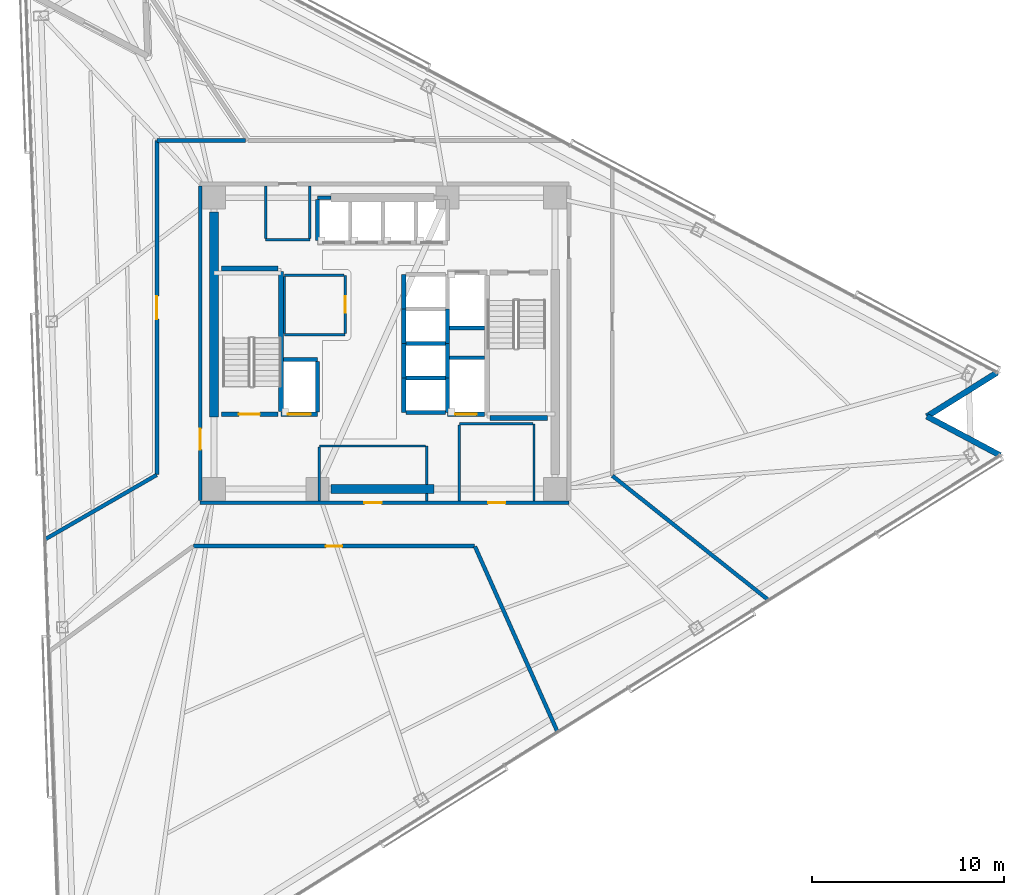
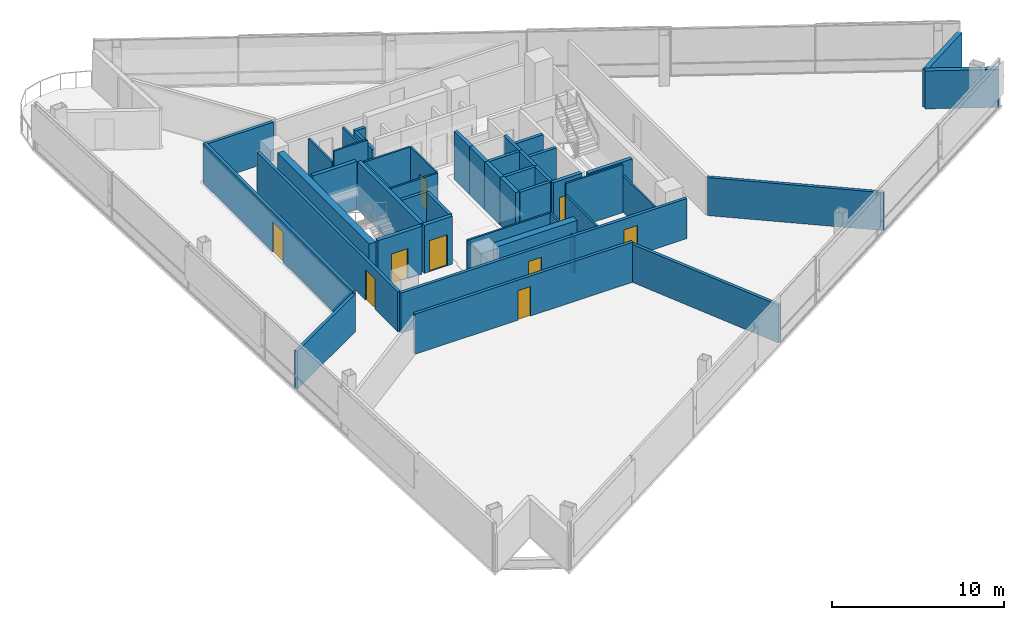
# One storey, part 12 of 18: 48 walls, 9 doors, 9 openings.
"""IFC4 building model written with IfcOpenShell, lengths in metres."""

from ifc_helpers import new_model, si_unit, direction, frame, frame_2d, origin, place, context, subcontext, project, spatial, rectangle, extrude, material, layer, layer_set, type_object, element, fill, save


model = new_model("IFC4")

# Units and contexts
model_context = context("Model", 3, precision=1e-05, world=origin(), true_north=direction((0.0, 1.0)))
body_context = subcontext(model_context, "Body", "Model", "MODEL_VIEW")
ifc_project = project(units=[si_unit("LENGTHUNIT", "METRE"), si_unit("AREAUNIT", "SQUARE_METRE"), si_unit("VOLUMEUNIT", "CUBIC_METRE"), si_unit("PLANEANGLEUNIT", "RADIAN"), si_unit("MASSUNIT", "GRAM", prefix="KILO")], contexts=[model_context])

# Site, building, storey
site_placement = place(None, origin())
site = spatial("IfcSite", under=ifc_project, at=site_placement, CompositionType="ELEMENT")
building_placement = place(site_placement, origin())
building = spatial("IfcBuilding", under=site, at=building_placement, Name="Tharavind Bronze Gate", CompositionType="ELEMENT")
storey_placement = place(building_placement, frame((0.0, 0.0, 153.199951171875)))
storey = spatial("IfcBuildingStorey", under=building, at=storey_placement, Name="L39", CompositionType="ELEMENT", Elevation=153.199951171875)

# Walls
ifc_material_1 = material(Name="Concrete C40/50", Category="concrete")
ifc_layer_1 = layer(ifc_material_1, 0.300048828125)
ifc_layer_set_1 = layer_set([ifc_layer_1], Name="Concrete C40/50")
wall_type_1 = type_object("IfcWallType", Name="EXTERIOR SPANDREL WALL 300", PredefinedType="STANDARD", material=ifc_layer_set_1)
wall_1_placement = place(storey_placement, frame((32.114501953125, -5.83984375, 0.0), z_axis=(0.0, 0.0, 1.0), x_axis=(-0.882945167019, 0.469476125099, 0.0)))
element("IfcWall", 1, at=wall_1_placement, inside=storey, type_object=wall_type_1, Name="L39 notch cheek wall 3A", PredefinedType="STANDARD", context=body_context, shape_type="SweptSolid", body=[
    extrude(rectangle(XDim=4.31982421875, YDim=0.300048828125, at=frame_2d((2.159912109375, 0.0))), origin(), (0.0, 0.0, 1.0), 2.705078125),
])
wall_2_placement = place(storey_placement, frame((28.30029296875, -3.811767578125, 0.0), z_axis=(0.0, 0.0, 1.0), x_axis=(0.848042749904, 0.529927819929, 0.0)))
element("IfcWall", 2, at=wall_2_placement, inside=storey, type_object=wall_type_1, Name="L39 notch cheek wall 3B", PredefinedType="STANDARD", context=body_context, shape_type="SweptSolid", body=[
    extrude(rectangle(XDim=4.320068359375, YDim=0.300048828125, at=frame_2d((2.16015625, 0.0))), origin(), (0.0, 0.0, 1.0), 2.705078125),
])

# Wall, openings, doors
ifc_material_2 = material(Name="Aerated Concrete Block", Category="concrete")
ifc_layer_2 = layer(ifc_material_2, 0.199951171875)
ifc_layer_set_2 = layer_set([ifc_layer_2], Name="Aerated Concrete Block")
wall_type_2 = type_object("IfcWallType", Name="FIRE RATED PARTITION 200", PredefinedType="PARTITIONING", material=ifc_layer_set_2)
wall_3_placement = place(storey_placement, frame((-9.6201171875, -8.320068359375, 0.0), z_axis=(0.0, 0.0, 1.0), x_axis=(1.0, 0.0, 0.0)))
wall_3 = element("IfcWall", 3, at=wall_3_placement, inside=storey, type_object=wall_type_2, Name="L39 south core corridor wall", PredefinedType="PARTITIONING", context=body_context, shape_type="SweptSolid", body=[
    extrude(rectangle(XDim=19.240234375, YDim=0.199951171875, at=frame_2d((9.6201171875, 0.0))), origin(), (0.0, 0.0, 1.0), 2.85498046875),
])
opening_1_placement = place(wall_3_placement, frame((8.570068359375, 0.0, 0.0)))
opening_1 = element("IfcOpeningElement", 4, at=opening_1_placement, cuts=wall_3, Name="Opening ID07", PredefinedType="OPENING", context=body_context, shape_type="SweptSolid", body=[
    extrude(rectangle(XDim=0.89990234375, YDim=2.10009765625, at=frame_2d((0.449951171875, 1.050048828125))), frame((0.0, 0.11009765625, 0.0), z_axis=(0.0, -1.0, 0.0), x_axis=(1.0, 0.0, 0.0)), (0.0, 0.0, 1.0), 0.219951171875),
])
opening_2_placement = place(wall_3_placement, frame((15.02001953125, 0.0, 0.0)))
opening_2 = element("IfcOpeningElement", 5, at=opening_2_placement, cuts=wall_3, Name="Opening ID07", PredefinedType="OPENING", context=body_context, shape_type="SweptSolid", body=[
    extrude(rectangle(XDim=0.89990234375, YDim=2.10009765625, at=frame_2d((0.449951171875, 1.050048828125))), frame((0.0, 0.11009765625, 0.0), z_axis=(0.0, -1.0, 0.0), x_axis=(1.0, 0.0, 0.0)), (0.0, 0.0, 1.0), 0.219951171875),
])
ifc_material_3 = material(Name="Galvanised Fire Steel", Category="steel")
door_type_1 = type_object("IfcDoorType", Name="PLANT AND RISER FIRE DOOR 900X2100", OperationType="SINGLE_SWING_LEFT", PredefinedType="DOOR", material=ifc_material_3)
door_1_placement = place(opening_1_placement, origin())
door_1 = element("IfcDoor", 6, at=door_1_placement, inside=storey, type_object=door_type_1, Name="L39 Core BMS Control Room fire door", OperationType="SINGLE_SWING_LEFT", OverallHeight=2.10009765625, OverallWidth=0.89990234375, PredefinedType="DOOR", context=body_context, shape_type="SweptSolid", body=[
    extrude(rectangle(XDim=0.89990234375, YDim=2.10009765625, at=frame_2d((0.449951171875, 1.050048828125))), frame((0.0, 0.02490234375, 0.0), z_axis=(0.0, -1.0, 0.0), x_axis=(1.0, 0.0, 0.0)), (0.0, 0.0, 1.0), 0.050048828125),
])
fill(opening_1, door_1)
door_2_placement = place(opening_2_placement, origin())
door_2 = element("IfcDoor", 7, at=door_2_placement, inside=storey, type_object=door_type_1, Name="L39 Telecom Metering Room fire door", OperationType="SINGLE_SWING_LEFT", OverallHeight=2.10009765625, OverallWidth=0.89990234375, PredefinedType="DOOR", context=body_context, shape_type="SweptSolid", body=[
    extrude(rectangle(XDim=0.89990234375, YDim=2.10009765625, at=frame_2d((0.449951171875, 1.050048828125))), frame((0.0, 0.02490234375, 0.0), z_axis=(0.0, -1.0, 0.0), x_axis=(1.0, 0.0, 0.0)), (0.0, 0.0, 1.0), 0.050048828125),
])
fill(opening_2, door_2)

# Wall, opening, door
wall_4_placement = place(storey_placement, frame((-9.6201171875, 8.199951171875, 0.0), z_axis=(0.0, 0.0, 1.0), x_axis=(0.0, -1.0, 0.0)))
wall_4 = element("IfcWall", 8, at=wall_4_placement, inside=storey, type_object=wall_type_2, Name="L39 west core corridor wall", PredefinedType="PARTITIONING", context=body_context, shape_type="SweptSolid", body=[
    extrude(rectangle(XDim=16.39990234375, YDim=0.199951171875, at=frame_2d((8.199951171875, 0.0))), origin(), (0.0, 0.0, 1.0), 2.85498046875),
])
opening_3_placement = place(wall_4_placement, frame((12.64990234375, 0.0, 0.0)))
opening_3 = element("IfcOpeningElement", 9, at=opening_3_placement, cuts=wall_4, Name="Opening ID01", PredefinedType="OPENING", context=body_context, shape_type="SweptSolid", body=[
    extrude(rectangle(XDim=1.10009765625, YDim=2.14990234375, at=frame_2d((0.550048828125, 1.074951171875))), frame((0.0, 0.11009765625, 0.0), z_axis=(0.0, -1.0, 0.0), x_axis=(1.0, 0.0, 0.0)), (0.0, 0.0, 1.0), 0.219951171875),
])
ifc_material_4 = material(Name="Fire-Rated Steel", Category="steel")
door_type_2 = type_object("IfcDoorType", Name="STAIR CORE FIRE DOOR 1100X2150", OperationType="SINGLE_SWING_LEFT", PredefinedType="DOOR", material=ifc_material_4)
door_3_placement = place(opening_3_placement, frame((1.10009765625, 0.0, 0.0), z_axis=(0.0, 0.0, 1.0), x_axis=(-1.0, 0.0, 0.0)))
door_3 = element("IfcDoor", 10, at=door_3_placement, inside=storey, type_object=door_type_2, Name="L39 south west stair lobby fire door", OperationType="SINGLE_SWING_LEFT", OverallHeight=2.14990234375, OverallWidth=1.10009765625, PredefinedType="DOOR", context=body_context, shape_type="SweptSolid", body=[
    extrude(rectangle(XDim=1.10009765625, YDim=2.14990234375, at=frame_2d((0.550048828125, 1.074951171875))), frame((0.0, 0.02490234375, 0.0), z_axis=(0.0, -1.0, 0.0), x_axis=(1.0, 0.0, 0.0)), (0.0, 0.0, 1.0), 0.050048828125),
])
fill(opening_3, door_3)

wall_5_placement = place(storey_placement, frame((-9.969970703125, -10.580078125, 0.0), z_axis=(0.0, 0.0, 1.0), x_axis=(1.0, 0.0, 0.0)))
wall_5 = element("IfcWall", 11, at=wall_5_placement, inside=storey, type_object=wall_type_2, Name="L39 Public Restrooms Block partition", PredefinedType="PARTITIONING", context=body_context, shape_type="SweptSolid", body=[
    extrude(rectangle(XDim=14.664306640625, YDim=0.199951171875, at=frame_2d((7.33203125, 0.0))), origin(), (0.0, 0.0, 1.0), 2.85498046875),
])
opening_4_placement = place(wall_5_placement, frame((6.906982421875, 0.0, 0.0)))
opening_4 = element("IfcOpeningElement", 12, at=opening_4_placement, cuts=wall_5, Name="Opening ID06", PredefinedType="OPENING", context=body_context, shape_type="SweptSolid", body=[
    extrude(rectangle(XDim=0.85009765625, YDim=2.10009765625, at=frame_2d((0.425048828125, 1.050048828125))), frame((0.0, 0.11009765625, 0.0), z_axis=(0.0, -1.0, 0.0), x_axis=(1.0, 0.0, 0.0)), (0.0, 0.0, 1.0), 0.219951171875),
])
ifc_material_5 = material(Name="Moisture-Resistant Timber", Category="wood")
door_type_3 = type_object("IfcDoorType", Name="BATHROOM PRIVACY DOOR 850X2100", OperationType="SINGLE_SWING_RIGHT", PredefinedType="DOOR", material=ifc_material_5)
door_4_placement = place(opening_4_placement, origin())
door_4 = element("IfcDoor", 13, at=door_4_placement, inside=storey, type_object=door_type_3, Name="L39 Public Restrooms Block door", OperationType="SINGLE_SWING_RIGHT", OverallHeight=2.10009765625, OverallWidth=0.85009765625, PredefinedType="DOOR", context=body_context, shape_type="SweptSolid", body=[
    extrude(rectangle(XDim=0.85009765625, YDim=2.10009765625, at=frame_2d((0.425048828125, 1.050048828125))), frame((0.0, 0.02490234375, 0.0), z_axis=(0.0, -1.0, 0.0), x_axis=(1.0, 0.0, 0.0)), (0.0, 0.0, 1.0), 0.050048828125),
])
fill(opening_4, door_4)

# Walls
wall_6_placement = place(storey_placement, frame((4.717041015625, -10.5947265625, 0.0), z_axis=(0.0, 0.0, 1.0), x_axis=(0.406751437798, -0.913538870464, 0.0)))
element("IfcWall", 14, at=wall_6_placement, inside=storey, type_object=wall_type_2, Name="L39 Public Restrooms Block partition", PredefinedType="PARTITIONING", context=body_context, shape_type="SweptSolid", body=[
    extrude(rectangle(XDim=10.5673828125, YDim=0.199951171875, at=frame_2d((5.28369140625, 0.0))), origin(), (0.0, 0.0, 1.0), 2.705078125),
])
wall_7_placement = place(storey_placement, frame((-7.262939453125, 10.580078125, 0.0), z_axis=(0.0, 0.0, 1.0), x_axis=(-1.0, 0.0, 0.0)))
element("IfcWall", 15, at=wall_7_placement, inside=storey, type_object=wall_type_2, Name="L39 Design Review Room partition", PredefinedType="PARTITIONING", context=body_context, shape_type="SweptSolid", body=[
    extrude(rectangle(XDim=4.616455078125, YDim=0.199951171875, at=frame_2d((2.30810546875, 0.0))), origin(), (0.0, 0.0, 1.0), 2.755126953125),
])

# Wall, opening, door
wall_8_placement = place(storey_placement, frame((-11.8798828125, 10.579345703125, 0.0), z_axis=(0.0, 0.0, 1.0), x_axis=(0.0, -1.0, 0.0)))
wall_8 = element("IfcWall", 16, at=wall_8_placement, inside=storey, type_object=wall_type_2, Name="L39 Design Review Room partition", PredefinedType="PARTITIONING", context=body_context, shape_type="SweptSolid", body=[
    extrude(rectangle(XDim=17.423828125, YDim=0.199951171875, at=frame_2d((8.7119140625, 0.0))), origin(), (0.0, 0.0, 1.0), 2.85498046875),
])
opening_5_placement = place(wall_8_placement, frame((8.112060546875, 0.0, 0.0)))
opening_5 = element("IfcOpeningElement", 17, at=opening_5_placement, cuts=wall_8, Name="Opening ID05", PredefinedType="OPENING", context=body_context, shape_type="SweptSolid", body=[
    extrude(rectangle(XDim=1.199951171875, YDim=2.14990234375, at=frame_2d((0.60009765625, 1.074951171875))), frame((0.0, 0.11009765625, 0.0), z_axis=(0.0, -1.0, 0.0), x_axis=(1.0, 0.0, 0.0)), (0.0, 0.0, 1.0), 0.219951171875),
])
ifc_material_6 = material(Name="Acoustic Laminated Glass", Category="glass")
door_type_4 = type_object("IfcDoorType", Name="MEETING ROOM GLAZED DOOR 1200X2150", OperationType="SINGLE_SWING_LEFT", PredefinedType="DOOR", material=ifc_material_6)
door_5_placement = place(opening_5_placement, origin())
door_5 = element("IfcDoor", 18, at=door_5_placement, inside=storey, type_object=door_type_4, Name="L39 Design Review Room door", OperationType="SINGLE_SWING_LEFT", OverallHeight=2.14990234375, OverallWidth=1.199951171875, PredefinedType="DOOR", context=body_context, shape_type="SweptSolid", body=[
    extrude(rectangle(XDim=1.199951171875, YDim=2.14990234375, at=frame_2d((0.60009765625, 1.074951171875))), frame((0.0, 0.02490234375, 0.0), z_axis=(0.0, -1.0, 0.0), x_axis=(1.0, 0.0, 0.0)), (0.0, 0.0, 1.0), 0.050048828125),
])
fill(opening_5, door_5)

# Walls
wall_9_placement = place(storey_placement, frame((-11.892578125, -6.8662109375, 0.0), z_axis=(0.0, 0.0, 1.0), x_axis=(-0.866035775779, -0.499982034748, 0.0)))
element("IfcWall", 19, at=wall_9_placement, inside=storey, type_object=wall_type_2, Name="L39 Design Review Room partition", PredefinedType="PARTITIONING", context=body_context, shape_type="SweptSolid", body=[
    extrude(rectangle(XDim=6.730224609375, YDim=0.199951171875, at=frame_2d((3.365234375, 0.0))), origin(), (0.0, 0.0, 1.0), 2.705078125),
])
wall_10_placement = place(storey_placement, frame((20.030029296875, -13.39111328125, 0.0), z_axis=(0.0, 0.0, 1.0), x_axis=(-0.782379652936, 0.622801797261, 0.0)))
element("IfcWall", 20, at=wall_10_placement, inside=storey, type_object=wall_type_2, Name="L39 Design Tea Pantry partition", PredefinedType="PARTITIONING", context=body_context, shape_type="SweptSolid", body=[
    extrude(rectangle(XDim=10.405029296875, YDim=0.199951171875, at=frame_2d((5.20263671875, 0.0))), origin(), (0.0, 0.0, 1.0), 2.705078125),
])
ifc_material_7 = material(Name="Metal Stud Gypsum Partition", Category="gypsum")
ifc_layer_3 = layer(ifc_material_7, 0.1201171875)
ifc_layer_set_3 = layer_set([ifc_layer_3], Name="Metal Stud Gypsum Partition")
wall_type_3 = type_object("IfcWallType", Name="INTERIOR PARTITION WALL 120", PredefinedType="PARTITIONING", material=ifc_layer_set_3)
wall_11_placement = place(storey_placement, frame((-5.219970703125, 0.449951171875, 0.0), z_axis=(0.0, 0.0, 1.0), x_axis=(1.0, 0.0, 0.0)))
element("IfcWall", 21, at=wall_11_placement, inside=storey, type_object=wall_type_3, Name="L39 Electrical & Telecom Store partition 1", PredefinedType="PARTITIONING", context=body_context, shape_type="SweptSolid", body=[
    extrude(rectangle(XDim=3.169921875, YDim=0.1201171875, at=frame_2d((1.5849609375, 0.0))), origin(), (0.0, 0.0, 1.0), 3.41015625),
])

# Wall, opening, door
wall_12_placement = place(storey_placement, frame((-2.050048828125, 0.514892578125, 0.0), z_axis=(0.0, 0.0, 1.0), x_axis=(0.0, 1.0, 0.0)))
wall_12 = element("IfcWall", 22, at=wall_12_placement, inside=storey, type_object=wall_type_3, Name="L39 Electrical & Telecom Store partition 2", PredefinedType="PARTITIONING", context=body_context, shape_type="SweptSolid", body=[
    extrude(rectangle(XDim=3.03515625, YDim=0.1201171875, at=frame_2d((1.517578125, 0.0))), origin(), (0.0, 0.0, 1.0), 3.41015625),
])
opening_6_placement = place(wall_12_placement, frame((1.092041015625, 0.0, 0.0)))
opening_6 = element("IfcOpeningElement", 23, at=opening_6_placement, cuts=wall_12, Name="Opening ID06", PredefinedType="OPENING", context=body_context, shape_type="SweptSolid", body=[
    extrude(rectangle(XDim=0.85009765625, YDim=2.10009765625, at=frame_2d((0.425048828125, 1.050048828125))), frame((0.0, 0.07005859375, 0.0), z_axis=(0.0, -1.0, 0.0), x_axis=(1.0, 0.0, 0.0)), (0.0, 0.0, 1.0), 0.1401171875),
])
door_6_placement = place(opening_6_placement, frame((0.85009765625, 0.0, 0.0), z_axis=(0.0, 0.0, 1.0), x_axis=(-1.0, 0.0, 0.0)))
door_6 = element("IfcDoor", 24, at=door_6_placement, inside=storey, type_object=door_type_3, Name="L39 Electrical & Telecom Store door", OperationType="SINGLE_SWING_RIGHT", OverallHeight=2.10009765625, OverallWidth=0.85009765625, PredefinedType="DOOR", context=body_context, shape_type="SweptSolid", body=[
    extrude(rectangle(XDim=0.85009765625, YDim=2.10009765625, at=frame_2d((0.425048828125, 1.050048828125))), frame((0.0, 0.02490234375, 0.0), z_axis=(0.0, -1.0, 0.0), x_axis=(1.0, 0.0, 0.0)), (0.0, 0.0, 1.0), 0.050048828125),
])
fill(opening_6, door_6)

# Walls
wall_13_placement = place(storey_placement, frame((-2.114990234375, 3.550048828125, 0.0), z_axis=(0.0, 0.0, 1.0), x_axis=(-1.0, 0.0, 0.0)))
element("IfcWall", 25, at=wall_13_placement, inside=storey, type_object=wall_type_3, Name="L39 Electrical & Telecom Store partition 3", PredefinedType="PARTITIONING", context=body_context, shape_type="SweptSolid", body=[
    extrude(rectangle(XDim=3.10498046875, YDim=0.1201171875, at=frame_2d((1.552490234375, 0.0))), origin(), (0.0, 0.0, 1.0), 3.41015625),
])
wall_14_placement = place(storey_placement, frame((-5.219970703125, 3.485107421875, 0.0), z_axis=(0.0, 0.0, 1.0), x_axis=(0.0, -1.0, 0.0)))
element("IfcWall", 26, at=wall_14_placement, inside=storey, type_object=wall_type_3, Name="L39 Electrical & Telecom Store partition 4", PredefinedType="PARTITIONING", context=body_context, shape_type="SweptSolid", body=[
    extrude(rectangle(XDim=2.97021484375, YDim=0.1201171875, at=frame_2d((1.485107421875, 0.0))), origin(), (0.0, 0.0, 1.0), 3.41015625),
])
wall_15_placement = place(storey_placement, frame((2.199951171875, -8.215087890625, 0.0), z_axis=(0.0, 0.0, 1.0), x_axis=(0.0, 1.0, 0.0)))
element("IfcWall", 27, at=wall_15_placement, inside=storey, type_object=wall_type_3, Name="L39 Core BMS Control Room partition 2", PredefinedType="PARTITIONING", context=body_context, shape_type="SweptSolid", body=[
    extrude(rectangle(XDim=0.385009765625, YDim=0.1201171875, at=frame_2d((0.1923828125, 0.0))), origin(), (0.0, 0.0, 1.0), 2.60498046875),
])
wall_16_placement = place(storey_placement, frame((2.199951171875, -7.3701171875, 0.0), z_axis=(0.0, 0.0, 1.0), x_axis=(0.0, 1.0, 0.0)))
element("IfcWall", 28, at=wall_16_placement, inside=storey, type_object=wall_type_3, Name="L39 Core BMS Control Room partition 2", PredefinedType="PARTITIONING", context=body_context, shape_type="SweptSolid", body=[
    extrude(rectangle(XDim=2.02001953125, YDim=0.1201171875, at=frame_2d((1.010009765625, 0.0))), origin(), (0.0, 0.0, 1.0), 2.60498046875),
])
wall_17_placement = place(storey_placement, frame((2.135009765625, -5.35009765625, 0.0), z_axis=(0.0, 0.0, 1.0), x_axis=(-1.0, 0.0, 0.0)))
element("IfcWall", 29, at=wall_17_placement, inside=storey, type_object=wall_type_3, Name="L39 Core BMS Control Room partition 3", PredefinedType="PARTITIONING", context=body_context, shape_type="SweptSolid", body=[
    extrude(rectangle(XDim=5.534912109375, YDim=0.1201171875, at=frame_2d((2.767578125, 0.0))), origin(), (0.0, 0.0, 1.0), 2.60498046875),
])
wall_18_placement = place(storey_placement, frame((-3.39990234375, -5.4150390625, 0.0), z_axis=(0.0, 0.0, 1.0), x_axis=(0.0, -1.0, 0.0)))
element("IfcWall", 30, at=wall_18_placement, inside=storey, type_object=wall_type_3, Name="L39 Core BMS Control Room partition 4", PredefinedType="PARTITIONING", context=body_context, shape_type="SweptSolid", body=[
    extrude(rectangle(XDim=2.800048828125, YDim=0.1201171875, at=frame_2d((1.39990234375, 0.0))), origin(), (0.0, 0.0, 1.0), 2.60498046875),
])
wall_19_placement = place(storey_placement, frame((-6.199951171875, 5.39990234375, 0.0), z_axis=(0.0, 0.0, 1.0), x_axis=(1.0, 0.0, 0.0)))
element("IfcWall", 31, at=wall_19_placement, inside=storey, type_object=wall_type_3, Name="L39 Electrical Switch Cupboard partition 1", PredefinedType="PARTITIONING", context=body_context, shape_type="SweptSolid", body=[
    extrude(rectangle(XDim=2.300048828125, YDim=0.1201171875, at=frame_2d((1.14990234375, 0.0))), origin(), (0.0, 0.0, 1.0), 3.41015625),
])
for number, where, z_axis, x_axis, name in (
    (32, (-3.89990234375, 5.465087890625, 0.0), (0.0, 0.0, 1.0), (0.0, 1.0, 0.0), "L39 Electrical Switch Cupboard partition 2"),
    (33, (-6.199951171875, 8.215087890625, 0.0), (0.0, 0.0, 1.0), (0.0, -1.0, 0.0), "L39 Electrical Switch Cupboard partition 4"),
):
    element("IfcWall", number, at=place(storey_placement, frame(where, z_axis=z_axis, x_axis=x_axis)), inside=storey, type_object=wall_type_3, Name=name, PredefinedType="PARTITIONING", context=body_context, shape_type="SweptSolid", body=[
        extrude(rectangle(XDim=2.75, YDim=0.1201171875, at=frame_2d((1.375, 0.0))), origin(), (0.0, 0.0, 1.0), 2.60498046875),
    ])
wall_20_placement = place(storey_placement, frame((7.800048828125, -8.215087890625, 0.0), z_axis=(0.0, 0.0, 1.0), x_axis=(0.0, 1.0, 0.0)))
element("IfcWall", 34, at=wall_20_placement, inside=storey, type_object=wall_type_3, Name="L39 Telecom Metering Room partition 2", PredefinedType="PARTITIONING", context=body_context, shape_type="SweptSolid", body=[
    extrude(rectangle(XDim=4.01513671875, YDim=0.1201171875, at=frame_2d((2.007568359375, 0.0))), origin(), (0.0, 0.0, 1.0), 2.60498046875),
])
wall_21_placement = place(storey_placement, frame((7.735107421875, -4.199951171875, 0.0), z_axis=(0.0, 0.0, 1.0), x_axis=(-1.0, 0.0, 0.0)))
element("IfcWall", 35, at=wall_21_placement, inside=storey, type_object=wall_type_3, Name="L39 Telecom Metering Room partition 3", PredefinedType="PARTITIONING", context=body_context, shape_type="SweptSolid", body=[
    extrude(rectangle(XDim=3.835205078125, YDim=0.1201171875, at=frame_2d((1.91748046875, 0.0))), origin(), (0.0, 0.0, 1.0), 3.41015625),
])
wall_22_placement = place(storey_placement, frame((3.89990234375, -4.264892578125, 0.0), z_axis=(0.0, 0.0, 1.0), x_axis=(0.0, -1.0, 0.0)))
element("IfcWall", 36, at=wall_22_placement, inside=storey, type_object=wall_type_3, Name="L39 Telecom Metering Room partition 4", PredefinedType="PARTITIONING", context=body_context, shape_type="SweptSolid", body=[
    extrude(rectangle(XDim=3.9501953125, YDim=0.1201171875, at=frame_2d((1.97509765625, 0.0))), origin(), (0.0, 0.0, 1.0), 2.60498046875),
])
ifc_material_8 = material(Name="Concrete C50/60", Category="concrete")
ifc_layer_4 = layer(ifc_material_8, 0.25)
ifc_layer_set_4 = layer_set([ifc_layer_4], Name="Concrete C50/60")
wall_type_4 = type_object("IfcWallType", Name="RC CORE SHEAR WALL 250", PredefinedType="SHEAR", material=ifc_layer_set_4)
wall_23_placement = place(storey_placement, frame((-5.39990234375, -3.550048828125, 0.0), z_axis=(0.0, 0.0, 1.0), x_axis=(0.0, 1.0, 0.0)))
element("IfcWall", 37, at=wall_23_placement, inside=storey, type_object=wall_type_4, Name="L39 ST1 shaft east wall", PredefinedType="SHEAR", context=body_context, shape_type="SweptSolid", body=[
    extrude(rectangle(XDim=7.300048828125, YDim=0.25, at=frame_2d((3.64990234375, 0.0))), origin(), (0.0, 0.0, 1.0), 3.41015625),
])

# Wall, opening, door
wall_24_placement = place(storey_placement, frame((-8.5, -3.699951171875, 0.0), z_axis=(0.0, 0.0, 1.0), x_axis=(1.0, 0.0, 0.0)))
wall_24 = element("IfcWall", 38, at=wall_24_placement, inside=storey, type_object=wall_type_4, Name="L39 ST1 shaft south wall", PredefinedType="SHEAR", context=body_context, shape_type="SweptSolid", body=[
    extrude(rectangle(XDim=2.949951171875, YDim=0.25, at=frame_2d((1.47509765625, 0.0))), origin(), (0.0, 0.0, 1.0), 3.41015625),
])
opening_7_placement = place(wall_24_placement, frame((0.89990234375, 0.0, 0.0)))
opening_7 = element("IfcOpeningElement", 39, at=opening_7_placement, cuts=wall_24, Name="Opening ID01", PredefinedType="OPENING", context=body_context, shape_type="SweptSolid", body=[
    extrude(rectangle(XDim=1.10009765625, YDim=2.14990234375, at=frame_2d((0.550048828125, 1.074951171875))), frame((0.0, 0.135, 0.0), z_axis=(0.0, -1.0, 0.0), x_axis=(1.0, 0.0, 0.0)), (0.0, 0.0, 1.0), 0.27),
])
door_7_placement = place(opening_7_placement, origin())
door_7 = element("IfcDoor", 40, at=door_7_placement, inside=storey, type_object=door_type_2, Name="L39 exit stair ST1 fire door", OperationType="SINGLE_SWING_LEFT", OverallHeight=2.14990234375, OverallWidth=1.10009765625, PredefinedType="DOOR", context=body_context, shape_type="SweptSolid", body=[
    extrude(rectangle(XDim=1.10009765625, YDim=2.14990234375, at=frame_2d((0.550048828125, 1.074951171875))), frame((0.0, 0.02490234375, 0.0), z_axis=(0.0, -1.0, 0.0), x_axis=(1.0, 0.0, 0.0)), (0.0, 0.0, 1.0), 0.050048828125),
])
fill(opening_7, door_7)

# Walls
wall_25_placement = place(storey_placement, frame((-8.5, 3.89990234375, 0.0), z_axis=(0.0, 0.0, 1.0), x_axis=(1.0, 0.0, 0.0)))
element("IfcWall", 41, at=wall_25_placement, inside=storey, type_object=wall_type_4, Name="L39 ST1 shaft north wall", PredefinedType="SHEAR", context=body_context, shape_type="SweptSolid", body=[
    extrude(rectangle(XDim=2.949951171875, YDim=0.25, at=frame_2d((1.47509765625, 0.0))), origin(), (0.0, 0.0, 1.0), 3.41015625),
])
wall_26_placement = place(storey_placement, frame((5.5, -3.89990234375, 0.0), z_axis=(0.0, 0.0, 1.0), x_axis=(1.0, 0.0, 0.0)))
element("IfcWall", 42, at=wall_26_placement, inside=storey, type_object=wall_type_4, Name="L39 ST2 shaft south wall", PredefinedType="SHEAR", context=body_context, shape_type="SweptSolid", body=[
    extrude(rectangle(XDim=3.0, YDim=0.25, at=frame_2d((1.5, 0.0))), origin(), (0.0, 0.0, 1.0), 3.41015625),
])
for number, where, z_axis, x_axis, name in (
    (43, (1.0, -3.60009765625, 0.0), (0.0, 0.0, 1.0), (0.0, 1.0, 0.0), "L39 lift PL9 shaft front wall"),
    (44, (1.0, -1.800048828125, 0.0), (0.0, 0.0, 1.0), (0.0, 1.0, 0.0), "L39 lift PL10 shaft front wall"),
    (45, (1.0, 0.0, 0.0), (0.0, 0.0, 1.0), (0.0, 1.0, 0.0), "L39 lift PL11 shaft front wall"),
    (46, (1.0, 1.800048828125, 0.0), (0.0, 0.0, 1.0), (0.0, 1.0, 0.0), "L39 lift PL12 shaft front wall"),
):
    element("IfcWall", number, at=place(storey_placement, frame(where, z_axis=z_axis, x_axis=x_axis)), inside=storey, type_object=wall_type_4, Name=name, PredefinedType="SHEAR", context=body_context, shape_type="SweptSolid", body=[
        extrude(rectangle(XDim=1.800048828125, YDim=0.25, at=frame_2d((0.89990234375, 0.0))), origin(), (0.0, 0.0, 1.0), 3.41015625),
    ])

# Wall, opening, door
wall_27_placement = place(storey_placement, frame((-5.39990234375, -3.699951171875, 0.0), z_axis=(0.0, 0.0, 1.0), x_axis=(1.0, 0.0, 0.0)))
wall_27 = element("IfcWall", 47, at=wall_27_placement, inside=storey, type_object=wall_type_4, Name="L39 lift FFL1 shaft front wall", PredefinedType="SHEAR", context=body_context, shape_type="SweptSolid", body=[
    extrude(rectangle(XDim=1.89990234375, YDim=0.25, at=frame_2d((0.949951171875, 0.0))), origin(), (0.0, 0.0, 1.0), 3.41015625),
])
opening_8_placement = place(wall_27_placement, frame((0.35009765625, 0.0, 0.0)))
opening_8 = element("IfcOpeningElement", 48, at=opening_8_placement, cuts=wall_27, Name="Opening LD02", PredefinedType="OPENING", context=body_context, shape_type="SweptSolid", body=[
    extrude(rectangle(XDim=1.199951171875, YDim=2.199951171875, at=frame_2d((0.60009765625, 1.10009765625))), frame((0.0, 0.135, 0.0), z_axis=(0.0, -1.0, 0.0), x_axis=(1.0, 0.0, 0.0)), (0.0, 0.0, 1.0), 0.27),
])
ifc_material_9 = material(Name="Brushed Stainless Steel", Category="steel")
door_type_5 = type_object("IfcDoorType", Name="FIREFIGHTING LIFT LANDING DOOR 1200X2200", OperationType="SLIDING_TO_RIGHT", PredefinedType="DOOR", material=ifc_material_9)
door_8_placement = place(opening_8_placement, origin())
door_8 = element("IfcDoor", 49, at=door_8_placement, inside=storey, type_object=door_type_5, Name="L39 lift FFL1 sliding landing door", OperationType="SLIDING_TO_RIGHT", OverallHeight=2.199951171875, OverallWidth=1.199951171875, PredefinedType="DOOR", context=body_context, shape_type="SweptSolid", body=[
    extrude(rectangle(XDim=1.199951171875, YDim=2.199951171875, at=frame_2d((0.60009765625, 1.10009765625))), frame((0.0, 0.02490234375, 0.0), z_axis=(0.0, -1.0, 0.0), x_axis=(1.0, 0.0, 0.0)), (0.0, 0.0, 1.0), 0.050048828125),
])
fill(opening_8, door_8)

wall_28_placement = place(storey_placement, frame((3.280029296875, -3.699951171875, 0.0), z_axis=(0.0, 0.0, 1.0), x_axis=(1.0, 0.0, 0.0)))
wall_28 = element("IfcWall", 50, at=wall_28_placement, inside=storey, type_object=wall_type_4, Name="L39 lift SVL1 shaft front wall", PredefinedType="SHEAR", context=body_context, shape_type="SweptSolid", body=[
    extrude(rectangle(XDim=1.93994140625, YDim=0.25, at=frame_2d((0.969970703125, 0.0))), origin(), (0.0, 0.0, 1.0), 3.41015625),
])
opening_9_placement = place(wall_28_placement, frame((0.419921875, 0.0, 0.0)))
opening_9 = element("IfcOpeningElement", 51, at=opening_9_placement, cuts=wall_28, Name="Opening LD01", PredefinedType="OPENING", context=body_context, shape_type="SweptSolid", body=[
    extrude(rectangle(XDim=1.10009765625, YDim=2.199951171875, at=frame_2d((0.550048828125, 1.10009765625))), frame((0.0, 0.135, 0.0), z_axis=(0.0, -1.0, 0.0), x_axis=(1.0, 0.0, 0.0)), (0.0, 0.0, 1.0), 0.27),
])
ifc_material_10 = material(Name="Brushed Bronze Stainless Steel", Category="steel")
door_type_6 = type_object("IfcDoorType", Name="LIFT LANDING SLIDING DOOR 1100X2200", OperationType="SLIDING_TO_LEFT", PredefinedType="DOOR", material=ifc_material_10)
door_9_placement = place(opening_9_placement, origin())
door_9 = element("IfcDoor", 52, at=door_9_placement, inside=storey, type_object=door_type_6, Name="L39 lift SVL1 sliding landing door", OperationType="SLIDING_TO_LEFT", OverallHeight=2.199951171875, OverallWidth=1.10009765625, PredefinedType="DOOR", context=body_context, shape_type="SweptSolid", body=[
    extrude(rectangle(XDim=1.10009765625, YDim=2.199951171875, at=frame_2d((0.550048828125, 1.10009765625))), frame((0.0, 0.02490234375, 0.0), z_axis=(0.0, -1.0, 0.0), x_axis=(1.0, 0.0, 0.0)), (0.0, 0.0, 1.0), 0.050048828125),
])
fill(opening_9, door_9)

# Walls
ifc_material_11 = material(Name="Concrete C60/75", Category="concrete")
ifc_layer_5 = layer(ifc_material_11, 0.449951171875)
ifc_layer_set_5 = layer_set([ifc_layer_5], Name="Concrete C60/75")
wall_type_5 = type_object("IfcWallType", Name="RC CORE SHEAR WALL 450", PredefinedType="SHEAR", material=ifc_layer_set_5)
wall_29_placement = place(storey_placement, frame((-2.800048828125, -7.60009765625, 0.0), z_axis=(0.0, 0.0, 1.0), x_axis=(1.0, 0.0, 0.0)))
element("IfcWall", 53, at=wall_29_placement, inside=storey, type_object=wall_type_5, Name="L39 south core shear wall", PredefinedType="SHEAR", context=body_context, shape_type="SweptSolid", body=[
    extrude(rectangle(XDim=5.380126953125, YDim=0.449951171875, at=frame_2d((2.68994140625, 0.0))), origin(), (0.0, 0.0, 1.0), 3.41015625),
])
wall_30_placement = place(storey_placement, frame((-8.89990234375, -3.85009765625, 0.0), z_axis=(0.0, 0.0, 1.0), x_axis=(0.0, 1.0, 0.0)))
element("IfcWall", 54, at=wall_30_placement, inside=storey, type_object=wall_type_5, Name="L39 west core shear wall", PredefinedType="SHEAR", context=body_context, shape_type="SweptSolid", body=[
    extrude(rectangle(XDim=10.7001953125, YDim=0.449951171875, at=frame_2d((5.35009765625, 0.0))), origin(), (0.0, 0.0, 1.0), 3.41015625),
])
ifc_layer_6 = layer(ifc_material_1, 0.199951171875)
ifc_layer_set_6 = layer_set([ifc_layer_6], Name="Concrete C40/50")
wall_type_6 = type_object("IfcWallType", Name="SHAFT ENCLOSURE WALL 200", PredefinedType="PARTITIONING", material=ifc_layer_set_6)
wall_31_placement = place(storey_placement, frame((-3.5, 7.60009765625, 0.0), z_axis=(0.0, 0.0, 1.0), x_axis=(1.0, 0.0, 0.0)))
element("IfcWall", 55, at=wall_31_placement, inside=storey, type_object=wall_type_6, Name="L39 lift PL5 shaft N enclosure wall", PredefinedType="PARTITIONING", context=body_context, shape_type="SweptSolid", body=[
    extrude(rectangle(XDim=0.699951171875, YDim=0.199951171875, at=frame_2d((0.35009765625, 0.0))), origin(), (0.0, 0.0, 1.0), 2.60498046875),
])
wall_32_placement = place(storey_placement, frame((-3.5, 5.3798828125, 0.0), z_axis=(0.0, 0.0, 1.0), x_axis=(0.0, 1.0, 0.0)))
element("IfcWall", 56, at=wall_32_placement, inside=storey, type_object=wall_type_6, Name="L39 lift PL5 shaft W enclosure wall", PredefinedType="PARTITIONING", context=body_context, shape_type="SweptSolid", body=[
    extrude(rectangle(XDim=2.115234375, YDim=0.199951171875, at=frame_2d((1.0576171875, 0.0))), origin(), (0.0, 0.0, 1.0), 2.60498046875),
])
wall_33_placement = place(storey_placement, frame((3.280029296875, -3.60009765625, 0.0), z_axis=(0.0, 0.0, 1.0), x_axis=(0.0, 1.0, 0.0)))
element("IfcWall", 57, at=wall_33_placement, inside=storey, type_object=wall_type_6, Name="L39 lift PL9 shaft E enclosure wall", PredefinedType="PARTITIONING", context=body_context, shape_type="SweptSolid", body=[
    extrude(rectangle(XDim=1.800048828125, YDim=0.199951171875, at=frame_2d((0.89990234375, 0.0))), origin(), (0.0, 0.0, 1.0), 3.41015625),
])
for number, where, z_axis, x_axis, name in (
    (58, (1.1298828125, -3.60009765625, 0.0), (0.0, 0.0, 1.0), (1.0, 0.0, 0.0), "L39 lift PL9 shaft S enclosure wall"),
    (59, (1.1298828125, -1.800048828125, 0.0), (0.0, 0.0, 1.0), (1.0, 0.0, 0.0), "L39 lift PL9 shaft N enclosure wall"),
):
    element("IfcWall", number, at=place(storey_placement, frame(where, z_axis=z_axis, x_axis=x_axis)), inside=storey, type_object=wall_type_6, Name=name, PredefinedType="PARTITIONING", context=body_context, shape_type="SweptSolid", body=[
        extrude(rectangle(XDim=2.045166015625, YDim=0.199951171875, at=frame_2d((1.0224609375, 0.0))), origin(), (0.0, 0.0, 1.0), 3.41015625),
    ])
wall_34_placement = place(storey_placement, frame((3.280029296875, -1.800048828125, 0.0), z_axis=(0.0, 0.0, 1.0), x_axis=(0.0, 1.0, 0.0)))
element("IfcWall", 60, at=wall_34_placement, inside=storey, type_object=wall_type_6, Name="L39 lift PL10 shaft E enclosure wall", PredefinedType="PARTITIONING", context=body_context, shape_type="SweptSolid", body=[
    extrude(rectangle(XDim=1.800048828125, YDim=0.199951171875, at=frame_2d((0.89990234375, 0.0))), origin(), (0.0, 0.0, 1.0), 3.41015625),
])
wall_35_placement = place(storey_placement, frame((1.1298828125, 0.0, 0.0), z_axis=(0.0, 0.0, 1.0), x_axis=(1.0, 0.0, 0.0)))
element("IfcWall", 61, at=wall_35_placement, inside=storey, type_object=wall_type_6, Name="L39 lift PL10 shaft N enclosure wall", PredefinedType="PARTITIONING", context=body_context, shape_type="SweptSolid", body=[
    extrude(rectangle(XDim=2.045166015625, YDim=0.199951171875, at=frame_2d((1.0224609375, 0.0))), origin(), (0.0, 0.0, 1.0), 3.41015625),
])
wall_36_placement = place(storey_placement, frame((3.280029296875, 0.0, 0.0), z_axis=(0.0, 0.0, 1.0), x_axis=(0.0, 1.0, 0.0)))
element("IfcWall", 62, at=wall_36_placement, inside=storey, type_object=wall_type_6, Name="L39 lift PL11 shaft E enclosure wall", PredefinedType="PARTITIONING", context=body_context, shape_type="SweptSolid", body=[
    extrude(rectangle(XDim=1.800048828125, YDim=0.199951171875, at=frame_2d((0.89990234375, 0.0))), origin(), (0.0, 0.0, 1.0), 3.41015625),
])
wall_37_placement = place(storey_placement, frame((-5.27001953125, -0.85009765625, 0.0), z_axis=(0.0, 0.0, 1.0), x_axis=(1.0, 0.0, 0.0)))
element("IfcWall", 63, at=wall_37_placement, inside=storey, type_object=wall_type_6, Name="L39 lift FFL1 shaft N enclosure wall", PredefinedType="PARTITIONING", context=body_context, shape_type="SweptSolid", body=[
    extrude(rectangle(XDim=1.77001953125, YDim=0.199951171875, at=frame_2d((0.885009765625, 0.0))), origin(), (0.0, 0.0, 1.0), 3.41015625),
])
wall_38_placement = place(storey_placement, frame((-3.5, -3.570068359375, 0.0), z_axis=(0.0, 0.0, 1.0), x_axis=(0.0, 1.0, 0.0)))
element("IfcWall", 64, at=wall_38_placement, inside=storey, type_object=wall_type_6, Name="L39 lift FFL1 shaft E enclosure wall", PredefinedType="PARTITIONING", context=body_context, shape_type="SweptSolid", body=[
    extrude(rectangle(XDim=2.614990234375, YDim=0.199951171875, at=frame_2d((1.3076171875, 0.0))), origin(), (0.0, 0.0, 1.0), 3.41015625),
])
for number, where, z_axis, x_axis, name in (
    (65, (3.385009765625, 0.800048828125, 0.0), (0.0, 0.0, 1.0), (1.0, 0.0, 0.0), "L39 lift FFL2 shaft S enclosure wall"),
    (66, (3.385009765625, -0.75, 0.0), (0.0, 0.0, 1.0), (1.0, 0.0, 0.0), "L39 lift SVL1 shaft N enclosure wall"),
):
    element("IfcWall", number, at=place(storey_placement, frame(where, z_axis=z_axis, x_axis=x_axis)), inside=storey, type_object=wall_type_6, Name=name, PredefinedType="PARTITIONING", context=body_context, shape_type="SweptSolid", body=[
        extrude(rectangle(XDim=1.8349609375, YDim=0.199951171875, at=frame_2d((0.91748046875, 0.0))), origin(), (0.0, 0.0, 1.0), 3.41015625),
    ])

save(model, "model.ifc")
